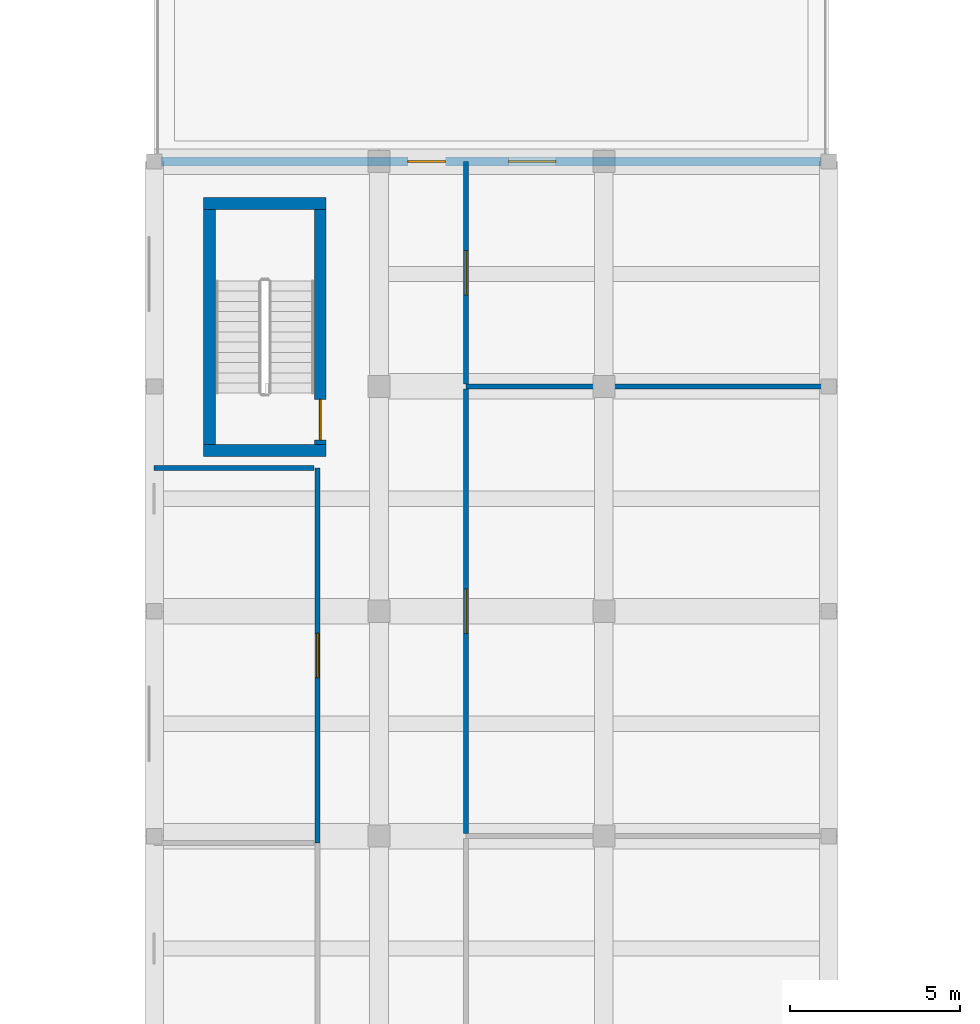
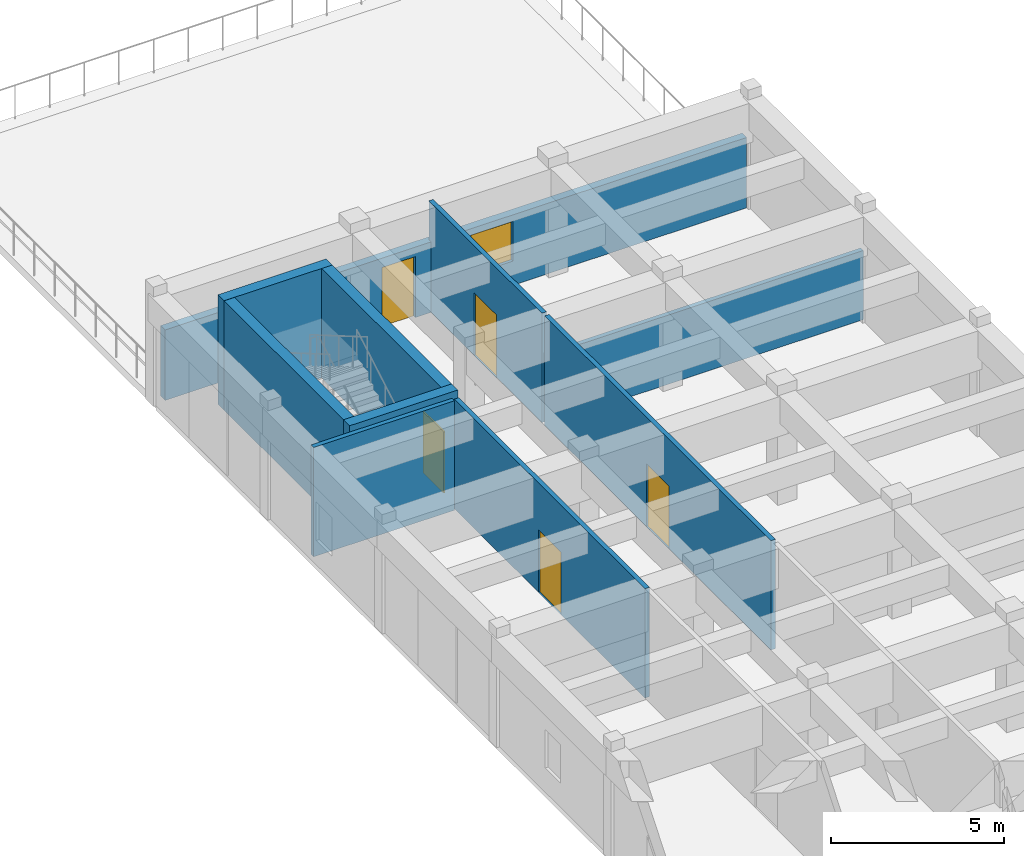
# One storey, part 118 of 130: 10 walls, 5 doors, 1 window, 6 openings.
"""IFC4 building model written with IfcOpenShell, lengths in metres."""

from ifc_helpers import new_model, si_unit, direction, frame, frame_2d, origin, place, context, subcontext, project, spatial, rectangle, extrude, material, layer, layer_set, type_object, element, fill, save


model = new_model("IFC4")

# Units and contexts
model_context = context("Model", 3, precision=1e-05, world=origin(), true_north=direction((0.0, 1.0)))
body_context = subcontext(model_context, "Body", "Model", "MODEL_VIEW")
ifc_project = project(units=[si_unit("LENGTHUNIT", "METRE"), si_unit("AREAUNIT", "SQUARE_METRE"), si_unit("VOLUMEUNIT", "CUBIC_METRE"), si_unit("PLANEANGLEUNIT", "RADIAN"), si_unit("MASSUNIT", "GRAM", prefix="KILO")], contexts=[model_context])

# Site, building, storey
site_placement = place(None, origin())
site = spatial("IfcSite", under=ifc_project, at=site_placement, CompositionType="ELEMENT")
building_placement = place(site_placement, origin())
building = spatial("IfcBuilding", under=site, at=building_placement, Name="Karori Crest Natural Sciences Institute", CompositionType="ELEMENT")
storey_placement = place(building_placement, frame((0.0, 0.0, 17.5)))
storey = spatial("IfcBuildingStorey", under=building, at=storey_placement, Name="L04", CompositionType="ELEMENT", Elevation=17.5)

# Walls
ifc_material_1 = material(Name="Concrete 50 MPa", Category="concrete")
ifc_layer_1 = layer(ifc_material_1, 0.35009765625, Name="Concrete 50 MPa")
ifc_layer_set_1 = layer_set([ifc_layer_1], Name="Concrete 50 MPa")
wall_type_1 = type_object("IfcWallType", Name="IWT-02", PredefinedType="SHEAR", material=ifc_layer_set_1)
for number, where, z_axis, x_axis, name in (
    (1, (8.85009765625, 139.324951171875, 0.0), (0.0, 0.0, 1.0), (1.0, 0.0, 0.0), "Shear wall IW-0217"),
    (2, (8.85009765625, 146.574951171875, 0.0), (0.0, 0.0, 1.0), (1.0, 0.0, 0.0), "Shear wall IW-0218"),
):
    element("IfcWall", number, at=place(storey_placement, frame(where, z_axis=z_axis, x_axis=x_axis)), inside=storey, type_object=wall_type_1, Name=name, PredefinedType="SHEAR", context=body_context, shape_type="SweptSolid", body=[
        extrude(rectangle(XDim=3.599853515625, YDim=0.35009765625, at=frame_2d((1.7998046875, 0.0))), origin(), (0.0, 0.0, 1.0), 3.85009765625),
    ])
wall_1_placement = place(storey_placement, frame((9.02490234375, 139.501953125, 0.0), z_axis=(0.0, 0.0, 1.0), x_axis=(0.0, 1.0, 0.0)))
element("IfcWall", 3, at=wall_1_placement, inside=storey, type_object=wall_type_1, Name="Shear wall IW-0219", PredefinedType="SHEAR", context=body_context, shape_type="SweptSolid", body=[
    extrude(rectangle(XDim=6.89599609375, YDim=0.35009765625, at=frame_2d((3.447998046875, 0.0))), origin(), (0.0, 0.0, 1.0), 3.85009765625),
])

# Wall, opening, door
wall_2_placement = place(storey_placement, frame((12.27490234375, 139.501953125, 0.0), z_axis=(0.0, 0.0, 1.0), x_axis=(0.0, 1.0, 0.0)))
wall_2 = element("IfcWall", 4, at=wall_2_placement, inside=storey, type_object=wall_type_1, Name="Shear wall IW-0220", PredefinedType="SHEAR", context=body_context, shape_type="SweptSolid", body=[
    extrude(rectangle(XDim=6.89599609375, YDim=0.35009765625, at=frame_2d((3.447998046875, 0.0))), origin(), (0.0, 0.0, 1.0), 3.85009765625),
])
opening_1_placement = place(wall_2_placement, frame((0.1201171875, 0.0, 0.0)))
opening_1 = element("IfcOpeningElement", 5, at=opening_1_placement, cuts=wall_2, Name="Opening ID-0055", PredefinedType="OPENING", context=body_context, shape_type="SweptSolid", body=[
    extrude(rectangle(XDim=1.199951171875, YDim=2.14990234375, at=frame_2d((0.60009765625, 1.074951171875))), frame((0.0, 0.18505859375, 0.0), z_axis=(0.0, -1.0, 0.0), x_axis=(1.0, 0.0, 0.0)), (0.0, 0.0, 1.0), 0.3701171875),
])
ifc_material_2 = material(Name="Stainless steel 316 and fire-rated timber", Category="steel")
door_type_1 = type_object("IfcDoorType", Name="IDT-01", OperationType="NOTDEFINED", PredefinedType="DOOR", material=ifc_material_2)
door_1_placement = place(opening_1_placement, origin())
door_1 = element("IfcDoor", 6, at=door_1_placement, inside=storey, type_object=door_type_1, Name="Stair ST-06 fire door ID-0055", OperationType="SINGLE_SWING_LEFT", OverallHeight=2.14990234375, OverallWidth=1.199951171875, PredefinedType="DOOR", context=body_context, shape_type="SweptSolid", body=[
    extrude(rectangle(XDim=1.199951171875, YDim=2.14990234375, at=frame_2d((0.60009765625, 1.074951171875))), frame((0.0, 0.02490234375, 0.0), z_axis=(0.0, -1.0, 0.0), x_axis=(1.0, 0.0, 0.0)), (0.0, 0.0, 1.0), 0.050048828125),
])
fill(opening_1, door_1)

# Wall
ifc_material_3 = material(Name="Clean-room insulated fire partition")
ifc_layer_2 = layer(ifc_material_3, 0.14990234375, Name="Clean-room insulated fire partition")
ifc_layer_set_2 = layer_set([ifc_layer_2], Name="Clean-room insulated fire partition")
wall_type_2 = type_object("IfcWallType", Name="IWT-06", PredefinedType="PARTITIONING", material=ifc_layer_set_2)
wall_3_placement = place(storey_placement, frame((7.39990234375, 138.800048828125, 0.0), z_axis=(0.0, 0.0, 1.0), x_axis=(1.0, 0.0, 0.0)))
element("IfcWall", 7, at=wall_3_placement, inside=storey, type_object=wall_type_2, Name="Partition wall IW-1009", PredefinedType="PARTITIONING", context=body_context, shape_type="SweptSolid", body=[
    extrude(rectangle(XDim=4.697998046875, YDim=0.14990234375, at=frame_2d((2.34912109375, 0.0))), origin(), (0.0, 0.0, 1.0), 3.85009765625),
])

# Wall, opening, door
wall_4_placement = place(storey_placement, frame((12.199951171875, 127.802001953125, 0.0), z_axis=(0.0, 0.0, 1.0), x_axis=(0.0, 1.0, 0.0)))
wall_4 = element("IfcWall", 8, at=wall_4_placement, inside=storey, type_object=wall_type_2, Name="Partition wall IW-1010", PredefinedType="PARTITIONING", context=body_context, shape_type="SweptSolid", body=[
    extrude(rectangle(XDim=10.998046875, YDim=0.14990234375, at=frame_2d((5.4990234375, 0.0))), origin(), (0.0, 0.0, 1.0), 3.85009765625),
])
opening_2_placement = place(wall_4_placement, frame((4.84912109375, 0.0, 0.0)))
opening_2 = element("IfcOpeningElement", 9, at=opening_2_placement, cuts=wall_4, Name="Opening ID-0275", PredefinedType="OPENING", context=body_context, shape_type="SweptSolid", body=[
    extrude(rectangle(XDim=1.300048828125, YDim=2.199951171875, at=frame_2d((0.64990234375, 1.10009765625))), frame((0.0, 0.0849609375, 0.0), z_axis=(0.0, -1.0, 0.0), x_axis=(1.0, 0.0, 0.0)), (0.0, 0.0, 1.0), 0.169921875),
])
door_type_2 = type_object("IfcDoorType", Name="IDT-04", OperationType="NOTDEFINED", PredefinedType="DOOR", material=ifc_material_2)
door_2_placement = place(opening_2_placement, origin())
door_2 = element("IfcDoor", 10, at=door_2_placement, inside=storey, type_object=door_type_2, Name="Optical Metrology Preparation Room door ID-0275", OperationType="SINGLE_SWING_LEFT", OverallHeight=2.199951171875, OverallWidth=1.300048828125, PredefinedType="DOOR", context=body_context, shape_type="SweptSolid", body=[
    extrude(rectangle(XDim=1.300048828125, YDim=2.199951171875, at=frame_2d((0.64990234375, 1.10009765625))), frame((0.0, 0.02490234375, 0.0), z_axis=(0.0, -1.0, 0.0), x_axis=(1.0, 0.0, 0.0)), (0.0, 0.0, 1.0), 0.050048828125),
])
fill(opening_2, door_2)

# Wall
wall_5_placement = place(storey_placement, frame((16.550048828125, 141.199951171875, 0.0), z_axis=(0.0, 0.0, 1.0), x_axis=(1.0, 0.0, 0.0)))
element("IfcWall", 11, at=wall_5_placement, inside=storey, type_object=wall_type_2, Name="Partition wall IW-1019", PredefinedType="PARTITIONING", context=body_context, shape_type="SweptSolid", body=[
    extrude(rectangle(XDim=10.537841796875, YDim=0.14990234375, at=frame_2d((5.26904296875, 0.0))), origin(), (0.0, 0.0, 1.0), 2.43505859375),
])

# Wall, opening, door
wall_6_placement = place(storey_placement, frame((16.550048828125, 128.076904296875, 0.0), z_axis=(0.0, 0.0, 1.0), x_axis=(0.0, 1.0, 0.0)))
wall_6 = element("IfcWall", 12, at=wall_6_placement, inside=storey, type_object=wall_type_2, Name="Partition wall IW-1020", PredefinedType="PARTITIONING", context=body_context, shape_type="SweptSolid", body=[
    extrude(rectangle(XDim=13.046142578125, YDim=0.14990234375, at=frame_2d((6.52294921875, 0.0))), origin(), (0.0, 0.0, 1.0), 3.85009765625),
])
opening_3_placement = place(wall_6_placement, frame((5.873046875, 0.0, 0.0)))
opening_3 = element("IfcOpeningElement", 13, at=opening_3_placement, cuts=wall_6, Name="Opening ID-0279", PredefinedType="OPENING", context=body_context, shape_type="SweptSolid", body=[
    extrude(rectangle(XDim=1.300048828125, YDim=2.199951171875, at=frame_2d((0.64990234375, 1.10009765625))), frame((0.0, 0.0849609375, 0.0), z_axis=(0.0, -1.0, 0.0), x_axis=(1.0, 0.0, 0.0)), (0.0, 0.0, 1.0), 0.169921875),
])
door_3_placement = place(opening_3_placement, origin())
door_3 = element("IfcDoor", 14, at=door_3_placement, inside=storey, type_object=door_type_2, Name="Electron Microscopy Clean Room door ID-0279", OperationType="SINGLE_SWING_LEFT", OverallHeight=2.199951171875, OverallWidth=1.300048828125, PredefinedType="DOOR", context=body_context, shape_type="SweptSolid", body=[
    extrude(rectangle(XDim=1.300048828125, YDim=2.199951171875, at=frame_2d((0.64990234375, 1.10009765625))), frame((0.0, 0.02490234375, 0.0), z_axis=(0.0, -1.0, 0.0), x_axis=(1.0, 0.0, 0.0)), (0.0, 0.0, 1.0), 0.050048828125),
])
fill(opening_3, door_3)

wall_7_placement = place(storey_placement, frame((16.550048828125, 141.277099609375, 0.0), z_axis=(0.0, 0.0, 1.0), x_axis=(0.0, 1.0, 0.0)))
wall_7 = element("IfcWall", 15, at=wall_7_placement, inside=storey, type_object=wall_type_2, Name="Partition wall IW-1021", PredefinedType="PARTITIONING", context=body_context, shape_type="SweptSolid", body=[
    extrude(rectangle(XDim=6.52294921875, YDim=0.14990234375, at=frame_2d((3.261474609375, 0.0))), origin(), (0.0, 0.0, 1.0), 3.85009765625),
])
opening_4_placement = place(wall_7_placement, frame((2.611572265625, 0.0, 0.0)))
opening_4 = element("IfcOpeningElement", 16, at=opening_4_placement, cuts=wall_7, Name="Opening ID-0280", PredefinedType="OPENING", context=body_context, shape_type="SweptSolid", body=[
    extrude(rectangle(XDim=1.300048828125, YDim=2.199951171875, at=frame_2d((0.64990234375, 1.10009765625))), frame((0.0, 0.0849609375, 0.0), z_axis=(0.0, -1.0, 0.0), x_axis=(1.0, 0.0, 0.0)), (0.0, 0.0, 1.0), 0.169921875),
])
door_4_placement = place(opening_4_placement, origin())
door_4 = element("IfcDoor", 17, at=door_4_placement, inside=storey, type_object=door_type_2, Name="ISO Class 6 Nanofabrication Clean Room door ID-0280", OperationType="SINGLE_SWING_RIGHT", OverallHeight=2.199951171875, OverallWidth=1.300048828125, PredefinedType="DOOR", context=body_context, shape_type="SweptSolid", body=[
    extrude(rectangle(XDim=1.300048828125, YDim=2.199951171875, at=frame_2d((0.64990234375, 1.10009765625))), frame((0.0, 0.02490234375, 0.0), z_axis=(0.0, -1.0, 0.0), x_axis=(1.0, 0.0, 0.0)), (0.0, 0.0, 1.0), 0.050048828125),
])
fill(opening_4, door_4)

# Wall, openings, door, window
ifc_material_4 = material(Name="Precast concrete 40 MPa", Category="concrete")
ifc_layer_3 = layer(ifc_material_4, 0.260009765625, Name="Precast concrete 40 MPa")
ifc_layer_set_3 = layer_set([ifc_layer_3], Name="Precast concrete 40 MPa")
wall_type_3 = type_object("IfcWallType", Name="WT-03", PredefinedType="SOLIDWALL", material=ifc_layer_set_3)
wall_8_placement = place(storey_placement, frame((7.623046875, 147.800048828125, 0.0), z_axis=(0.0, 0.0, 1.0), x_axis=(1.0, 0.0, 0.0)))
wall_8 = element("IfcWall", 18, at=wall_8_placement, inside=storey, type_object=wall_type_3, Name="Exterior wall EW-0175", PredefinedType="SOLIDWALL", context=body_context, shape_type="SweptSolid", body=[
    extrude(rectangle(XDim=19.35400390625, YDim=0.260009765625, at=frame_2d((9.677001953125, 0.0))), origin(), (0.0, 0.0, 1.0), 2.47998046875),
])
opening_5_placement = place(wall_8_placement, frame((7.22705078125, 0.0, 0.0)))
opening_5 = element("IfcOpeningElement", 19, at=opening_5_placement, cuts=wall_8, Name="Opening ED-0022", PredefinedType="OPENING", context=body_context, shape_type="SweptSolid", body=[
    extrude(rectangle(XDim=1.10009765625, YDim=2.14990234375, at=frame_2d((0.550048828125, 1.074951171875))), frame((0.0, 0.14013671875, 0.0), z_axis=(0.0, -1.0, 0.0), x_axis=(1.0, 0.0, 0.0)), (0.0, 0.0, 1.0), 0.280029296875),
])
opening_6_placement = place(wall_8_placement, frame((10.177001953125, 0.0, 0.85009765625)))
opening_6 = element("IfcOpeningElement", 20, at=opening_6_placement, cuts=wall_8, Name="Opening WN-0119", PredefinedType="OPENING", context=body_context, shape_type="SweptSolid", body=[
    extrude(rectangle(XDim=1.39990234375, YDim=1.39990234375, at=frame_2d((0.699951171875, 0.699951171875))), frame((0.0, 0.14013671875, 0.0), z_axis=(0.0, -1.0, 0.0), x_axis=(1.0, 0.0, 0.0)), (0.0, 0.0, 1.0), 0.280029296875),
])
ifc_material_5 = material(Name="Anodised architectural aluminium 6063-T6", Category="aluminium")
door_type_3 = type_object("IfcDoorType", Name="EDT-04", OperationType="NOTDEFINED", PredefinedType="DOOR", material=ifc_material_5)
door_5_placement = place(opening_5_placement, origin())
door_5 = element("IfcDoor", 21, at=door_5_placement, inside=storey, type_object=door_type_3, Name="L04 cleanroom terrace door ED-0022", OperationType="SINGLE_SWING_LEFT", OverallHeight=2.14990234375, OverallWidth=1.10009765625, PredefinedType="DOOR", context=body_context, shape_type="SweptSolid", body=[
    extrude(rectangle(XDim=1.10009765625, YDim=2.14990234375, at=frame_2d((0.550048828125, 1.074951171875))), frame((0.0, 0.02490234375, 0.0), z_axis=(0.0, -1.0, 0.0), x_axis=(1.0, 0.0, 0.0)), (0.0, 0.0, 1.0), 0.050048828125),
])
fill(opening_5, door_5)
ifc_material_6 = material(Name="Double low-E laminated glass", Category="glass")
window_type = type_object("IfcWindowType", Name="WNT-03", PartitioningType="SINGLE_PANEL", PredefinedType="WINDOW", material=ifc_material_6)
window_placement = place(opening_6_placement, origin())
window = element("IfcWindow", 22, at=window_placement, inside=storey, type_object=window_type, Name="Window WN-0119", OverallHeight=1.39990234375, OverallWidth=1.39990234375, PartitioningType="SINGLE_PANEL", PredefinedType="WINDOW", context=body_context, shape_type="SweptSolid", body=[
    extrude(rectangle(XDim=1.39990234375, YDim=1.39990234375, at=frame_2d((0.699951171875, 0.699951171875))), frame((0.0, 0.030029296875, 0.0), z_axis=(0.0, -1.0, 0.0), x_axis=(1.0, 0.0, 0.0)), (0.0, 0.0, 1.0), 0.06005859375),
])
fill(opening_6, window)

save(model, "model.ifc")
